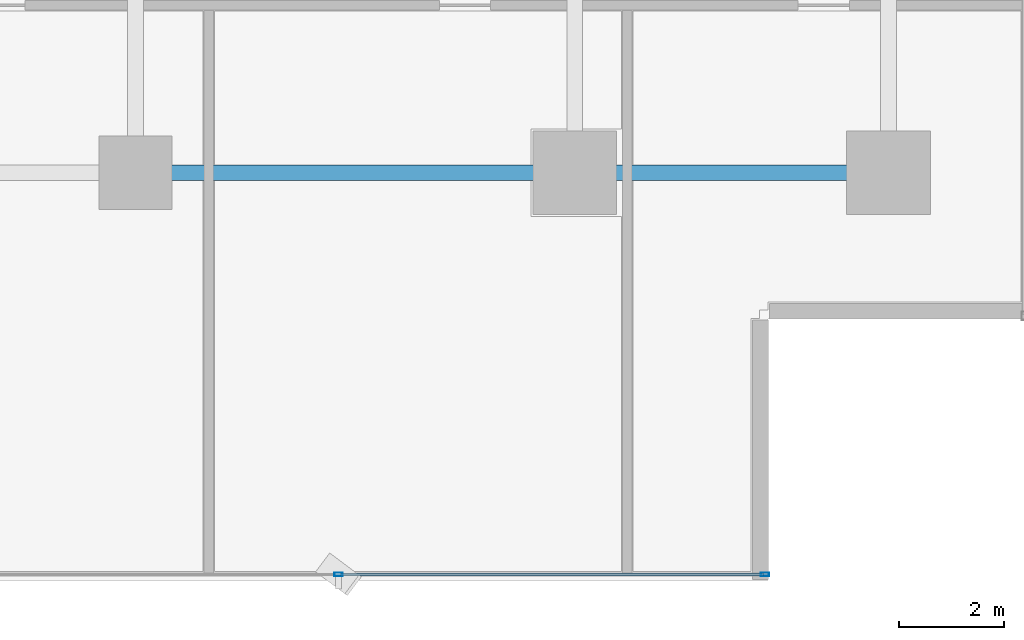
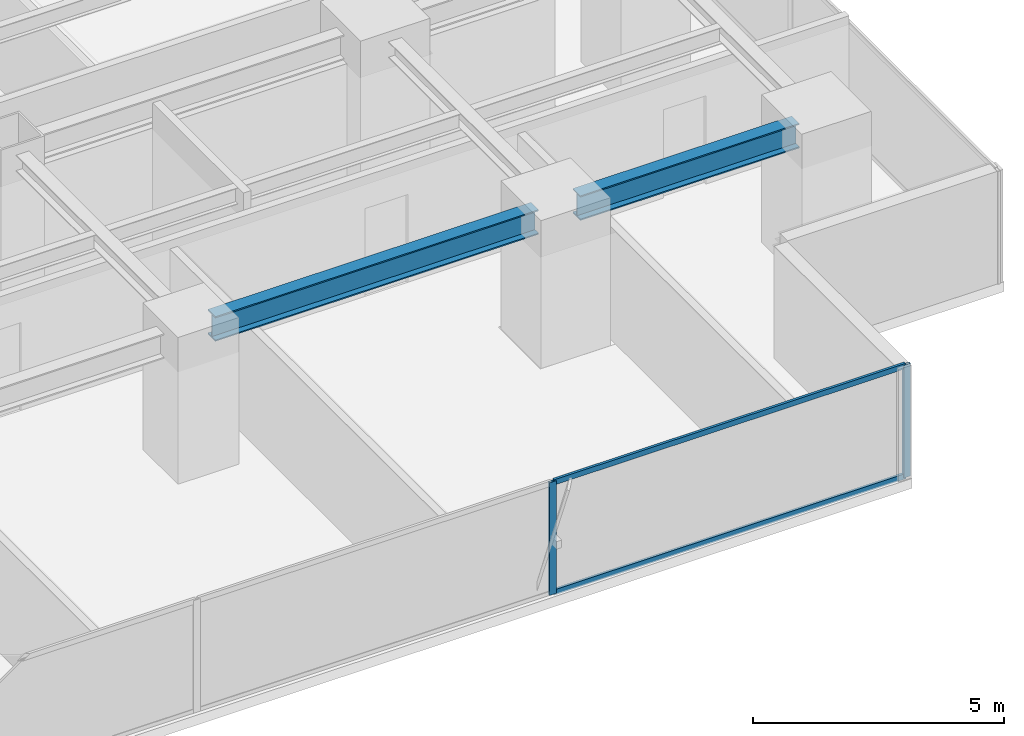
# One storey, part 12 of 37: 4 members, 2 beams, 1 element without a shape of its own.
"""IFC4 building model written with IfcOpenShell, lengths in metres."""

from ifc_helpers import new_model, si_unit, direction, frame, origin, origin_2d, place, context, subcontext, project, spatial, hollow_rectangle, i_section, extrude, source, transform, mapped, material, layer, layer_set, material_profile, profile_set, type_object, element, aggregate, save


model = new_model("IFC4")

# Units and contexts
model_context = context("Model", 3, precision=1e-05, world=origin(), true_north=direction((0.0, 1.0)))
body_context = subcontext(model_context, "Body", "Model", "MODEL_VIEW")
ifc_project = project(units=[si_unit("LENGTHUNIT", "METRE"), si_unit("AREAUNIT", "SQUARE_METRE"), si_unit("VOLUMEUNIT", "CUBIC_METRE"), si_unit("PLANEANGLEUNIT", "RADIAN"), si_unit("MASSUNIT", "GRAM", prefix="KILO")], contexts=[model_context])

# Site, building, storey
site_placement = place(None, origin())
site = spatial("IfcSite", under=ifc_project, at=site_placement, CompositionType="ELEMENT")
building_placement = place(site_placement, origin())
building = spatial("IfcBuilding", under=site, at=building_placement, Name="Sumidabori Civic Tower", CompositionType="ELEMENT")
storey_placement = place(building_placement, frame((0.0, 0.0, 117.199951171875)))
storey = spatial("IfcBuildingStorey", under=building, at=storey_placement, Name="L30", CompositionType="ELEMENT", Elevation=117.199951171875)

# Beams
ifc_material_1 = material(Name="Steel SN490", Category="steel")
ifc_material_profile_1 = material_profile(ifc_material_1, i_section(OverallWidth=0.300048828125, OverallDepth=0.60009765625, WebThickness=0.015380859375, FlangeThickness=0.030029296875, at=origin_2d()), Name="HE 600 B")
ifc_profile_set_1 = profile_set([ifc_material_profile_1], Name="Steel SN490")
beam_type = type_object("IfcBeamType", Name="BM-GIRD-600", PredefinedType="BEAM", material=ifc_profile_set_1)
shared_shape_1 = source(origin(), body_context, "Body", "SweptSolid", [
    extrude(i_section(OverallWidth=0.300048828125, OverallDepth=0.60009765625, WebThickness=0.015380859375, FlangeThickness=0.030029296875, at=origin_2d()), origin(), (0.0, 0.0, 1.0), 5.0400390625),
])
beam_1_placement = place(storey_placement, frame((17.280029296875, -18.0, 3.06005859375), z_axis=(1.0, 0.0, 0.0), x_axis=(0.0, 1.0, 0.0)))
element("IfcBeam", 1, at=beam_1_placement, inside=storey, type_object=beam_type, Name="Primary Girder L30 GX-06", PredefinedType="BEAM", context=body_context, shape_type="MappedRepresentation", body=[
    mapped(shared_shape_1, transform((0.0, 0.0, 0.0), x_axis=(1.0, 0.0, 0.0), y_axis=(0.0, 1.0, 0.0), z_axis=(0.0, 0.0, 1.0), scale=1.0)),
])
shared_shape_2 = source(origin(), body_context, "Body", "SweptSolid", [
    extrude(i_section(OverallWidth=0.300048828125, OverallDepth=0.60009765625, WebThickness=0.015380859375, FlangeThickness=0.030029296875, at=origin_2d()), origin(), (0.0, 0.0, 1.0), 7.440185546875),
])
beam_2_placement = place(storey_placement, frame((8.8798828125, -18.0, 3.06005859375), z_axis=(1.0, 0.0, 0.0), x_axis=(0.0, 1.0, 0.0)))
element("IfcBeam", 2, at=beam_2_placement, inside=storey, type_object=beam_type, Name="Primary Girder L30 GX-05", PredefinedType="BEAM", context=body_context, shape_type="MappedRepresentation", body=[
    mapped(shared_shape_2, transform((0.0, 0.0, 0.0), x_axis=(1.0, 0.0, 0.0), y_axis=(0.0, 1.0, 0.0), z_axis=(0.0, 0.0, 1.0), scale=1.0)),
])

# Curtain wall, members
ifc_material_2 = material(Name="Anodised Bronze Aluminium AW-6063-T6", Category="aluminium")
ifc_layer = layer(ifc_material_2, 0.179931640625, Name="Anodised Bronze Aluminium AW-6063-T6")
ifc_layer_set = layer_set([ifc_layer], Name="Anodised Bronze Aluminium AW-6063-T6")
curtain_wall_type = type_object("IfcCurtainWallType", Name="CW-SYS-3", PredefinedType="NOTDEFINED", material=ifc_layer_set)
curtain_wall_placement = place(storey_placement, origin())
curtain_wall = element("IfcCurtainWall", 3, at=curtain_wall_placement, inside=storey, type_object=curtain_wall_type, Name="Curtain Wall CW:L30:R01", PredefinedType="NOTDEFINED")
ifc_material_profile_2 = material_profile(ifc_material_2, hollow_rectangle(XDim=0.06494140625, YDim=0.159912109375, WallThickness=0.0048828125, at=origin_2d()), Name="ALU MULLION 160x65")
ifc_profile_set_2 = profile_set([ifc_material_profile_2], Name="Anodised Bronze Aluminium AW-6063-T6")
member_type_1 = type_object("IfcMemberType", Name="CW-MUL-160", PredefinedType="MULLION", material=ifc_profile_set_2)
shared_shape_3 = source(origin(), body_context, "Body", "SweptSolid", [
    extrude(hollow_rectangle(XDim=0.06494140625, YDim=0.159912109375, WallThickness=0.0048828125, at=origin_2d()), origin(), (0.0, 0.0, 1.0), 2.739990234375),
])
member_1_placement = place(storey_placement, frame((12.281982421875, -25.679931640625, 0.0), z_axis=(0.0, 0.0, 1.0), x_axis=(0.0, 1.0, 0.0)))
member_1 = element("IfcMember", 4, at=member_1_placement, type_object=member_type_1, Name="CW-3 mullion 5", PredefinedType="MULLION", context=body_context, shape_type="MappedRepresentation", body=[
    mapped(shared_shape_3, transform((0.0, 0.0, 0.0), x_axis=(1.0, 0.0, 0.0), y_axis=(0.0, 1.0, 0.0), z_axis=(0.0, 0.0, 1.0), scale=1.0)),
])
member_2_placement = place(storey_placement, frame((20.4375, -25.679931640625, 0.0), z_axis=(0.0, 0.0, 1.0), x_axis=(0.0, 1.0, 0.0)))
member_2 = element("IfcMember", 5, at=member_2_placement, type_object=member_type_1, Name="CW-3 mullion 6", PredefinedType="MULLION", context=body_context, shape_type="MappedRepresentation", body=[
    mapped(shared_shape_3, transform((0.0, 0.0, 0.0), x_axis=(1.0, 0.0, 0.0), y_axis=(0.0, 1.0, 0.0), z_axis=(0.0, 0.0, 1.0), scale=1.0)),
])
ifc_material_profile_3 = material_profile(ifc_material_2, hollow_rectangle(XDim=0.06005859375, YDim=0.1298828125, WallThickness=0.0048828125, at=origin_2d()), Name="ALU TRANSOM 130x60")
ifc_profile_set_3 = profile_set([ifc_material_profile_3], Name="Anodised Bronze Aluminium AW-6063-T6")
member_type_2 = type_object("IfcMemberType", Name="CW-TRN-130", PredefinedType="USERDEFINED", material=ifc_profile_set_3)
shared_shape_4 = source(origin(), body_context, "Body", "SweptSolid", [
    extrude(hollow_rectangle(XDim=0.06005859375, YDim=0.1298828125, WallThickness=0.0048828125, at=origin_2d()), origin(), (0.0, 0.0, 1.0), 8.090576171875),
])
member_3_placement = place(storey_placement, frame((12.314453125, -25.679931640625, 0.030029296875), z_axis=(1.0, 0.0, 0.0), x_axis=(0.0, 1.0, 0.0)))
member_3 = element("IfcMember", 6, at=member_3_placement, type_object=member_type_2, Name="CW-3 transom 5.1", ObjectType="TRANSOM", PredefinedType="USERDEFINED", context=body_context, shape_type="MappedRepresentation", body=[
    mapped(shared_shape_4, transform((0.0, 0.0, 0.0), x_axis=(1.0, 0.0, 0.0), y_axis=(0.0, 1.0, 0.0), z_axis=(0.0, 0.0, 1.0), scale=1.0)),
])
member_4_placement = place(storey_placement, frame((12.314453125, -25.679931640625, 2.7099609375), z_axis=(1.0, 0.0, 0.0), x_axis=(0.0, 1.0, 0.0)))
member_4 = element("IfcMember", 7, at=member_4_placement, type_object=member_type_2, Name="CW-3 transom 5.2", ObjectType="TRANSOM", PredefinedType="USERDEFINED", context=body_context, shape_type="MappedRepresentation", body=[
    mapped(shared_shape_4, transform((0.0, 0.0, 0.0), x_axis=(1.0, 0.0, 0.0), y_axis=(0.0, 1.0, 0.0), z_axis=(0.0, 0.0, 1.0), scale=1.0)),
])
aggregate(curtain_wall, [member_1, member_2, member_3, member_4])

save(model, "model.ifc")
